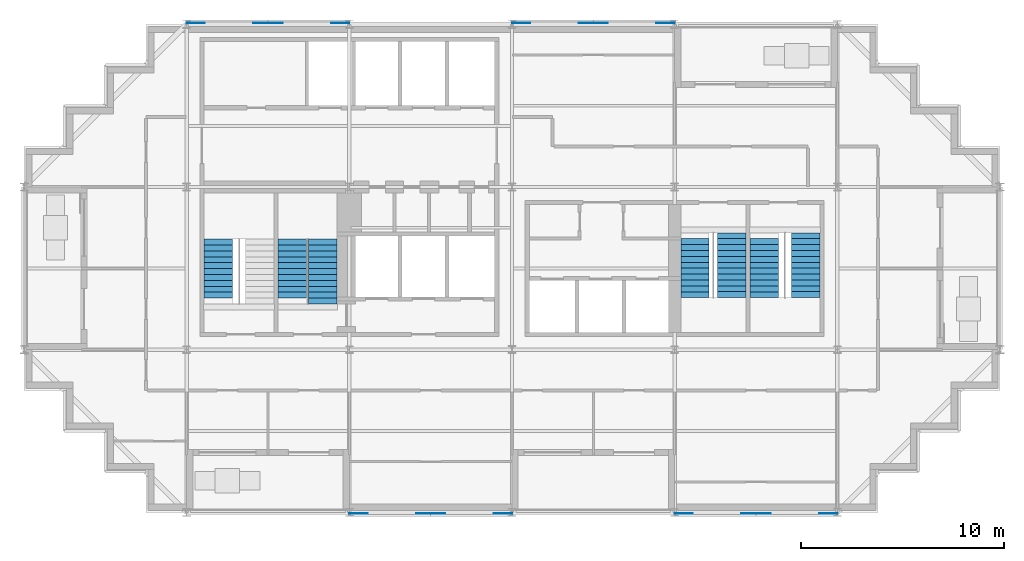
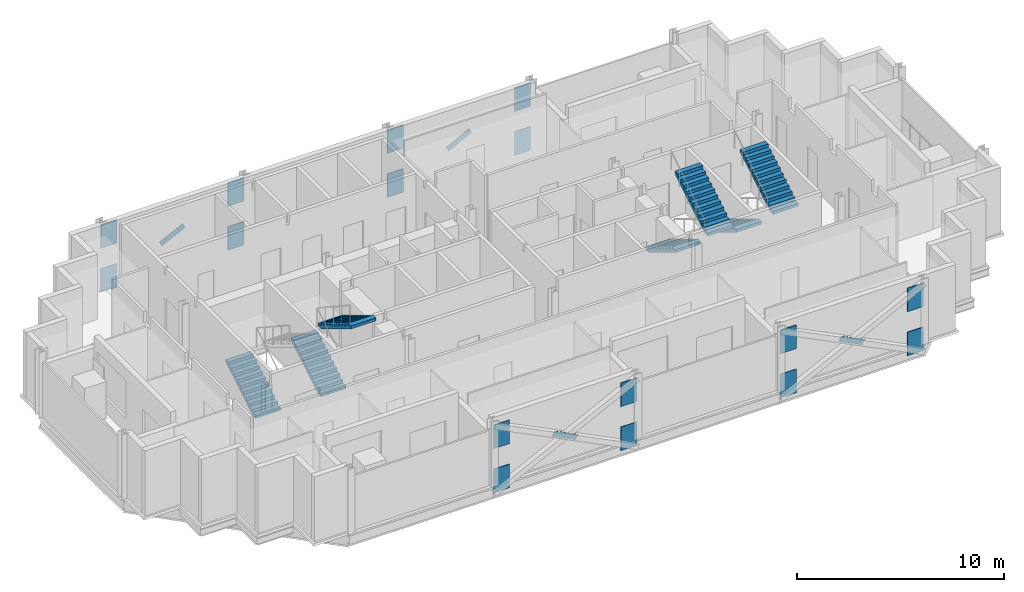
# One storey, part 8 of 10: 20 discrete accessories, 7 stair flights, 4 elements without a shape of their own.
"""IFC4 building model written with IfcOpenShell, lengths in metres."""

from ifc_helpers import new_model, si_unit, direction, frame, origin, origin_2d, place, context, subcontext, project, spatial, polyline, rectangle, outline, extrude, material, material_profile, profile_set, type_object, element, aggregate, save


model = new_model("IFC4")

# Units and contexts
model_context = context("Model", 3, precision=1e-05, world=origin(), true_north=direction((0.0, 1.0)))
body_context = subcontext(model_context, "Body", "Model", "MODEL_VIEW")
ifc_project = project(units=[si_unit("LENGTHUNIT", "METRE"), si_unit("AREAUNIT", "SQUARE_METRE"), si_unit("VOLUMEUNIT", "CUBIC_METRE"), si_unit("PLANEANGLEUNIT", "RADIAN"), si_unit("MASSUNIT", "GRAM", prefix="KILO")], contexts=[model_context])

# Site, building, storey
site_placement = place(None, origin())
site = spatial("IfcSite", under=ifc_project, at=site_placement, CompositionType="ELEMENT")
building_placement = place(site_placement, origin())
building = spatial("IfcBuilding", under=site, at=building_placement, Name="Immortelle Media Tower", CompositionType="ELEMENT")
storey_placement = place(building_placement, frame((0.0, 0.0, 251.0)))
storey = spatial("IfcBuildingStorey", under=building, at=storey_placement, Name="L54", CompositionType="ELEMENT", Elevation=251.0)

# Stair, stair flight
ifc_material_1 = material(Name="Steel ASTM A992 Gr 50", Category="steel")
stair_type = type_object("IfcStairType", Name="Stair with flights", PredefinedType="DOUBLE_RETURN_STAIR", material=ifc_material_1)
stair_1_placement = place(storey_placement, origin())
stair_1 = element("IfcStair", 1, at=stair_1_placement, inside=storey, type_object=stair_type, Name="Exit stair SW1", PredefinedType="DOUBLE_RETURN_STAIR")
stair_flight_type = type_object("IfcStairFlightType", Name="Stair flight 1400", PredefinedType="STRAIGHT", material=ifc_material_1)
stair_flight_1_placement = place(storey_placement, frame((9.550048828125, 10.5400390625, 0.0), z_axis=(0.0, 0.0, 1.0), x_axis=(0.0, 1.0, 0.0)))
stair_flight_1 = element("IfcStairFlight", 2, at=stair_flight_1_placement, type_object=stair_flight_type, Name="ST SW1 flight 1", NumberOfRisers=11, NumberOfTreads=10, PredefinedType="STRAIGHT", RiserHeight=0.173913043, TreadLength=0.29, context=body_context, shape_type="SweptSolid", body=[
    extrude(outline(polyline([(0.0, 0.0), (0.0, 0.173828125), (0.2900390625, 0.173828125), (0.2900390625, 0.347900390625), (0.580078125, 0.347900390625), (0.580078125, 0.521728515625), (0.8701171875, 0.521728515625), (0.8701171875, 0.695556640625), (1.159912109375, 0.695556640625), (1.159912109375, 0.86962890625), (1.449951171875, 0.86962890625), (1.449951171875, 1.04345703125), (1.739990234375, 1.04345703125), (1.739990234375, 1.21728515625), (2.030029296875, 1.21728515625), (2.030029296875, 1.391357421875), (2.320068359375, 1.391357421875), (2.320068359375, 1.565185546875), (2.610107421875, 1.565185546875), (2.610107421875, 1.739013671875), (2.89990234375, 1.739013671875), (2.89990234375, 1.9130859375), (2.89990234375, 1.564453125), (0.29150390625, 0.0), (0.0, 0.0)])), frame((0.0, 0.699951171875, 0.0), z_axis=(0.0, -1.0, 0.0), x_axis=(1.0, 0.0, 0.0)), (0.0, 0.0, 1.0), 1.39990234375),
])
aggregate(stair_1, [stair_flight_1])

# Stair, stair flights
stair_2_placement = place(storey_placement, origin())
stair_2 = element("IfcStair", 3, at=stair_2_placement, inside=storey, type_object=stair_type, Name="Exit stair SW2", PredefinedType="DOUBLE_RETURN_STAIR")
stair_flight_2_placement = place(storey_placement, frame((13.199951171875, 10.5400390625, 0.0), z_axis=(0.0, 0.0, 1.0), x_axis=(0.0, 1.0, 0.0)))
stair_flight_2 = element("IfcStairFlight", 4, at=stair_flight_2_placement, type_object=stair_flight_type, Name="ST SW2 flight 1", NumberOfRisers=11, NumberOfTreads=10, PredefinedType="STRAIGHT", RiserHeight=0.173913043, TreadLength=0.29, context=body_context, shape_type="SweptSolid", body=[
    extrude(outline(polyline([(0.0, 0.0), (0.0, 0.173828125), (0.2900390625, 0.173828125), (0.2900390625, 0.347900390625), (0.580078125, 0.347900390625), (0.580078125, 0.521728515625), (0.8701171875, 0.521728515625), (0.8701171875, 0.695556640625), (1.159912109375, 0.695556640625), (1.159912109375, 0.86962890625), (1.449951171875, 0.86962890625), (1.449951171875, 1.04345703125), (1.739990234375, 1.04345703125), (1.739990234375, 1.21728515625), (2.030029296875, 1.21728515625), (2.030029296875, 1.391357421875), (2.320068359375, 1.391357421875), (2.320068359375, 1.565185546875), (2.610107421875, 1.565185546875), (2.610107421875, 1.739013671875), (2.89990234375, 1.739013671875), (2.89990234375, 1.9130859375), (2.89990234375, 1.564453125), (0.29150390625, 0.0), (0.0, 0.0)])), frame((0.0, 0.699951171875, 0.0), z_axis=(0.0, -1.0, 0.0), x_axis=(1.0, 0.0, 0.0)), (0.0, 0.0, 1.0), 1.39990234375),
])
stair_flight_3_placement = place(storey_placement, frame((14.699951171875, 13.43994140625, 1.9130859375), z_axis=(0.0, 0.0, 1.0), x_axis=(0.0, -1.0, 0.0)))
stair_flight_3 = element("IfcStairFlight", 5, at=stair_flight_3_placement, type_object=stair_flight_type, Name="ST SW2 flight 2", NumberOfRisers=12, NumberOfTreads=11, PredefinedType="STRAIGHT", RiserHeight=0.173913043, TreadLength=0.29, context=body_context, shape_type="SweptSolid", body=[
    extrude(outline(polyline([(0.0, 0.0), (0.0, 0.173828125), (0.2900390625, 0.173828125), (0.2900390625, 0.347900390625), (0.580078125, 0.347900390625), (0.580078125, 0.521728515625), (0.8701171875, 0.521728515625), (0.8701171875, 0.695556640625), (1.159912109375, 0.695556640625), (1.159912109375, 0.86962890625), (1.449951171875, 0.86962890625), (1.449951171875, 1.04345703125), (1.739990234375, 1.04345703125), (1.739990234375, 1.21728515625), (2.030029296875, 1.21728515625), (2.030029296875, 1.391357421875), (2.320068359375, 1.391357421875), (2.320068359375, 1.565185546875), (2.610107421875, 1.565185546875), (2.610107421875, 1.739013671875), (2.89990234375, 1.739013671875), (2.89990234375, 1.9130859375), (3.18994140625, 1.9130859375), (3.18994140625, 2.0869140625), (3.18994140625, 1.73828125), (0.29150390625, 0.0), (0.0, 0.0)])), frame((0.0, 0.699951171875, 0.0), z_axis=(0.0, -1.0, 0.0), x_axis=(1.0, 0.0, 0.0)), (0.0, 0.0, 1.0), 1.39990234375),
])
aggregate(stair_2, [stair_flight_2, stair_flight_3])

stair_3_placement = place(storey_placement, origin())
stair_3 = element("IfcStair", 6, at=stair_3_placement, inside=storey, type_object=stair_type, Name="Exit stair SE1", PredefinedType="DOUBLE_RETURN_STAIR")
stair_flight_4_placement = place(storey_placement, frame((33.0, 13.4599609375, 0.0), z_axis=(0.0, 0.0, 1.0), x_axis=(0.0, -1.0, 0.0)))
stair_flight_4 = element("IfcStairFlight", 7, at=stair_flight_4_placement, type_object=stair_flight_type, Name="ST SE1 flight 1", NumberOfRisers=11, NumberOfTreads=10, PredefinedType="STRAIGHT", RiserHeight=0.173913043, TreadLength=0.29, context=body_context, shape_type="SweptSolid", body=[
    extrude(outline(polyline([(0.0, 0.0), (0.0, 0.173828125), (0.2900390625, 0.173828125), (0.2900390625, 0.347900390625), (0.580078125, 0.347900390625), (0.580078125, 0.521728515625), (0.8701171875, 0.521728515625), (0.8701171875, 0.695556640625), (1.159912109375, 0.695556640625), (1.159912109375, 0.86962890625), (1.449951171875, 0.86962890625), (1.449951171875, 1.04345703125), (1.739990234375, 1.04345703125), (1.739990234375, 1.21728515625), (2.030029296875, 1.21728515625), (2.030029296875, 1.391357421875), (2.320068359375, 1.391357421875), (2.320068359375, 1.565185546875), (2.610107421875, 1.565185546875), (2.610107421875, 1.739013671875), (2.89990234375, 1.739013671875), (2.89990234375, 1.9130859375), (2.89990234375, 1.564453125), (0.29150390625, 0.0), (0.0, 0.0)])), frame((0.0, 0.699951171875, 0.0), z_axis=(0.0, -1.0, 0.0), x_axis=(1.0, 0.0, 0.0)), (0.0, 0.0, 1.0), 1.39990234375),
])
stair_flight_5_placement = place(storey_placement, frame((34.800048828125, 10.56005859375, 1.9130859375), z_axis=(0.0, 0.0, 1.0), x_axis=(0.0, 1.0, 0.0)))
stair_flight_5 = element("IfcStairFlight", 8, at=stair_flight_5_placement, type_object=stair_flight_type, Name="ST SE1 flight 2", NumberOfRisers=12, NumberOfTreads=11, PredefinedType="STRAIGHT", RiserHeight=0.173913043, TreadLength=0.29, context=body_context, shape_type="SweptSolid", body=[
    extrude(outline(polyline([(0.0, 0.0), (0.0, 0.173828125), (0.2900390625, 0.173828125), (0.2900390625, 0.347900390625), (0.580078125, 0.347900390625), (0.580078125, 0.521728515625), (0.8701171875, 0.521728515625), (0.8701171875, 0.695556640625), (1.159912109375, 0.695556640625), (1.159912109375, 0.86962890625), (1.449951171875, 0.86962890625), (1.449951171875, 1.04345703125), (1.739990234375, 1.04345703125), (1.739990234375, 1.21728515625), (2.030029296875, 1.21728515625), (2.030029296875, 1.391357421875), (2.320068359375, 1.391357421875), (2.320068359375, 1.565185546875), (2.610107421875, 1.565185546875), (2.610107421875, 1.739013671875), (2.89990234375, 1.739013671875), (2.89990234375, 1.9130859375), (3.18994140625, 1.9130859375), (3.18994140625, 2.0869140625), (3.18994140625, 1.73828125), (0.29150390625, 0.0), (0.0, 0.0)])), frame((0.0, 0.699951171875, 0.0), z_axis=(0.0, -1.0, 0.0), x_axis=(1.0, 0.0, 0.0)), (0.0, 0.0, 1.0), 1.39990234375),
])
aggregate(stair_3, [stair_flight_4, stair_flight_5])

stair_4_placement = place(storey_placement, origin())
stair_4 = element("IfcStair", 9, at=stair_4_placement, inside=storey, type_object=stair_type, Name="Exit stair SE2", PredefinedType="DOUBLE_RETURN_STAIR")
stair_flight_6_placement = place(storey_placement, frame((36.39990234375, 13.4599609375, 0.0), z_axis=(0.0, 0.0, 1.0), x_axis=(0.0, -1.0, 0.0)))
stair_flight_6 = element("IfcStairFlight", 10, at=stair_flight_6_placement, type_object=stair_flight_type, Name="ST SE2 flight 1", NumberOfRisers=11, NumberOfTreads=10, PredefinedType="STRAIGHT", RiserHeight=0.173913043, TreadLength=0.29, context=body_context, shape_type="SweptSolid", body=[
    extrude(outline(polyline([(0.0, 0.0), (0.0, 0.173828125), (0.2900390625, 0.173828125), (0.2900390625, 0.347900390625), (0.580078125, 0.347900390625), (0.580078125, 0.521728515625), (0.8701171875, 0.521728515625), (0.8701171875, 0.695556640625), (1.159912109375, 0.695556640625), (1.159912109375, 0.86962890625), (1.449951171875, 0.86962890625), (1.449951171875, 1.04345703125), (1.739990234375, 1.04345703125), (1.739990234375, 1.21728515625), (2.030029296875, 1.21728515625), (2.030029296875, 1.391357421875), (2.320068359375, 1.391357421875), (2.320068359375, 1.565185546875), (2.610107421875, 1.565185546875), (2.610107421875, 1.739013671875), (2.89990234375, 1.739013671875), (2.89990234375, 1.9130859375), (2.89990234375, 1.564453125), (0.29150390625, 0.0), (0.0, 0.0)])), frame((0.0, 0.699951171875, 0.0), z_axis=(0.0, -1.0, 0.0), x_axis=(1.0, 0.0, 0.0)), (0.0, 0.0, 1.0), 1.39990234375),
])
stair_flight_7_placement = place(storey_placement, frame((38.449951171875, 10.56005859375, 1.9130859375), z_axis=(0.0, 0.0, 1.0), x_axis=(0.0, 1.0, 0.0)))
stair_flight_7 = element("IfcStairFlight", 11, at=stair_flight_7_placement, type_object=stair_flight_type, Name="ST SE2 flight 2", NumberOfRisers=12, NumberOfTreads=11, PredefinedType="STRAIGHT", RiserHeight=0.173913043, TreadLength=0.29, context=body_context, shape_type="SweptSolid", body=[
    extrude(outline(polyline([(0.0, 0.0), (0.0, 0.173828125), (0.2900390625, 0.173828125), (0.2900390625, 0.347900390625), (0.580078125, 0.347900390625), (0.580078125, 0.521728515625), (0.8701171875, 0.521728515625), (0.8701171875, 0.695556640625), (1.159912109375, 0.695556640625), (1.159912109375, 0.86962890625), (1.449951171875, 0.86962890625), (1.449951171875, 1.04345703125), (1.739990234375, 1.04345703125), (1.739990234375, 1.21728515625), (2.030029296875, 1.21728515625), (2.030029296875, 1.391357421875), (2.320068359375, 1.391357421875), (2.320068359375, 1.565185546875), (2.610107421875, 1.565185546875), (2.610107421875, 1.739013671875), (2.89990234375, 1.739013671875), (2.89990234375, 1.9130859375), (3.18994140625, 1.9130859375), (3.18994140625, 2.0869140625), (3.18994140625, 1.73828125), (0.29150390625, 0.0), (0.0, 0.0)])), frame((0.0, 0.699951171875, 0.0), z_axis=(0.0, -1.0, 0.0), x_axis=(1.0, 0.0, 0.0)), (0.0, 0.0, 1.0), 1.39990234375),
])
aggregate(stair_4, [stair_flight_6, stair_flight_7])

# Discrete accessories
ifc_material_2 = material(Name="Steel ASTM A572 Gr 50", Category="steel")
ifc_material_profile_1 = material_profile(ifc_material_2, rectangle(XDim=0.02392578125, YDim=0.304931640625, at=origin_2d()), Name="PL 24 x 305")
ifc_profile_set_1 = profile_set([ifc_material_profile_1], Name="Steel ASTM A572 Gr 50")
discrete_accessory_type_1 = type_object("IfcDiscreteAccessoryType", Name="Crossing plate XP-BR6 1450 x 305 x 24", PredefinedType="USERDEFINED", material=ifc_profile_set_1)
for number, where, z_axis, x_axis, name in (
    (12, (28.6484375, 24.0625, 1.8681640625), (-0.894427191, 0.0, -0.4472135955), (0.0, -1.0, 0.0), "Crossing plate XP-BR6 of Brace D/4-5 A and Brace D/4-5 B"),
    (13, (12.6484375, 24.0625, 1.8681640625), (-0.894427191, 0.0, -0.4472135955), (0.0, -1.0, 0.0), "Crossing plate XP-BR6 of Brace D/2-3 A and Brace D/2-3 B"),
    (14, (19.3515625, -0.0625, 1.8681640625), (0.894427191, 0.0, -0.4472135955), (0.0, 1.0, 0.0), "Crossing plate XP-BR6 of Brace A/3-4 A and Brace A/3-4 B"),
    (15, (35.3515625, -0.0625, 1.8681640625), (0.894427191, 0.0, -0.4472135955), (0.0, 1.0, 0.0), "Crossing plate XP-BR6 of Brace A/5-6 A and Brace A/5-6 B"),
):
    element("IfcDiscreteAccessory", number, at=place(storey_placement, frame(where, z_axis=z_axis, x_axis=x_axis)), inside=storey, type_object=discrete_accessory_type_1, Name=name, ObjectType="CROSSING PLATE", PredefinedType="USERDEFINED", context=body_context, shape_type="SweptSolid", body=[
        extrude(rectangle(XDim=0.02392578125, YDim=0.304931640625, at=origin_2d()), origin(), (0.0, 0.0, 1.0), 1.449951171875),
    ])
ifc_material_profile_2 = material_profile(ifc_material_2, rectangle(XDim=0.031982421875, YDim=1.39990234375, at=origin_2d()), Name="PL 32 x 1400")
ifc_profile_set_2 = profile_set([ifc_material_profile_2], Name="Steel ASTM A572 Gr 50")
discrete_accessory_type_2 = type_object("IfcDiscreteAccessoryType", Name="Gusset plate GP1 900 x 1400 x 32", PredefinedType="USERDEFINED", material=ifc_profile_set_2)
for number, where, z_axis, x_axis, name in (
    (16, (16.0, -0.0625, 0.243896484375), (1.0, 0.0, 0.0), (0.0, 1.0, 0.0), "Gusset plate GP1, lower end of Brace A/3-4 A"),
    (17, (24.0, -0.0625, 2.843994140625), (-1.0, 0.0, 0.0), (0.0, -1.0, 0.0), "Gusset plate GP1, upper end of Brace A/3-4 A"),
    (18, (24.0, -0.0625, 0.243896484375), (-1.0, 0.0, 0.0), (0.0, -1.0, 0.0), "Gusset plate GP1, lower end of Brace A/3-4 B"),
    (19, (16.0, -0.0625, 2.843994140625), (1.0, 0.0, 0.0), (0.0, 1.0, 0.0), "Gusset plate GP1, upper end of Brace A/3-4 B"),
    (20, (32.0, -0.0625, 0.243896484375), (1.0, 0.0, 0.0), (0.0, 1.0, 0.0), "Gusset plate GP1, lower end of Brace A/5-6 A"),
    (21, (40.0, -0.0625, 2.843994140625), (-1.0, 0.0, 0.0), (0.0, -1.0, 0.0), "Gusset plate GP1, upper end of Brace A/5-6 A"),
    (22, (40.0, -0.0625, 0.243896484375), (-1.0, 0.0, 0.0), (0.0, -1.0, 0.0), "Gusset plate GP1, lower end of Brace A/5-6 B"),
    (23, (32.0, -0.0625, 2.843994140625), (1.0, 0.0, 0.0), (0.0, 1.0, 0.0), "Gusset plate GP1, upper end of Brace A/5-6 B"),
    (24, (32.0, 24.0625, 0.243896484375), (-1.0, 0.0, 0.0), (0.0, -1.0, 0.0), "Gusset plate GP1, lower end of Brace D/4-5 A"),
    (25, (24.0, 24.0625, 2.843994140625), (1.0, 0.0, 0.0), (0.0, 1.0, 0.0), "Gusset plate GP1, upper end of Brace D/4-5 A"),
    (26, (24.0, 24.0625, 0.243896484375), (1.0, 0.0, 0.0), (0.0, 1.0, 0.0), "Gusset plate GP1, lower end of Brace D/4-5 B"),
    (27, (32.0, 24.0625, 2.843994140625), (-1.0, 0.0, 0.0), (0.0, -1.0, 0.0), "Gusset plate GP1, upper end of Brace D/4-5 B"),
    (28, (16.0, 24.0625, 0.243896484375), (-1.0, 0.0, 0.0), (0.0, -1.0, 0.0), "Gusset plate GP1, lower end of Brace D/2-3 A"),
    (29, (8.0, 24.0625, 2.843994140625), (1.0, 0.0, 0.0), (0.0, 1.0, 0.0), "Gusset plate GP1, upper end of Brace D/2-3 A"),
    (30, (8.0, 24.0625, 0.243896484375), (1.0, 0.0, 0.0), (0.0, 1.0, 0.0), "Gusset plate GP1, lower end of Brace D/2-3 B"),
    (31, (16.0, 24.0625, 2.843994140625), (-1.0, 0.0, 0.0), (0.0, -1.0, 0.0), "Gusset plate GP1, upper end of Brace D/2-3 B"),
):
    element("IfcDiscreteAccessory", number, at=place(storey_placement, frame(where, z_axis=z_axis, x_axis=x_axis)), inside=storey, type_object=discrete_accessory_type_2, Name=name, ObjectType="GUSSET PLATE", PredefinedType="USERDEFINED", context=body_context, shape_type="SweptSolid", body=[
        extrude(rectangle(XDim=0.031982421875, YDim=1.39990234375, at=origin_2d()), origin(), (0.0, 0.0, 1.0), 0.89990234375),
    ])

save(model, "model.ifc")
